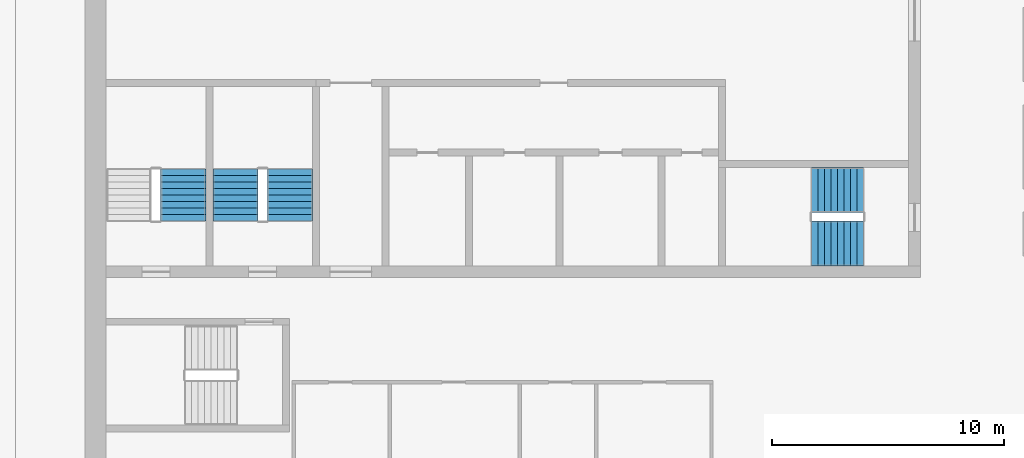
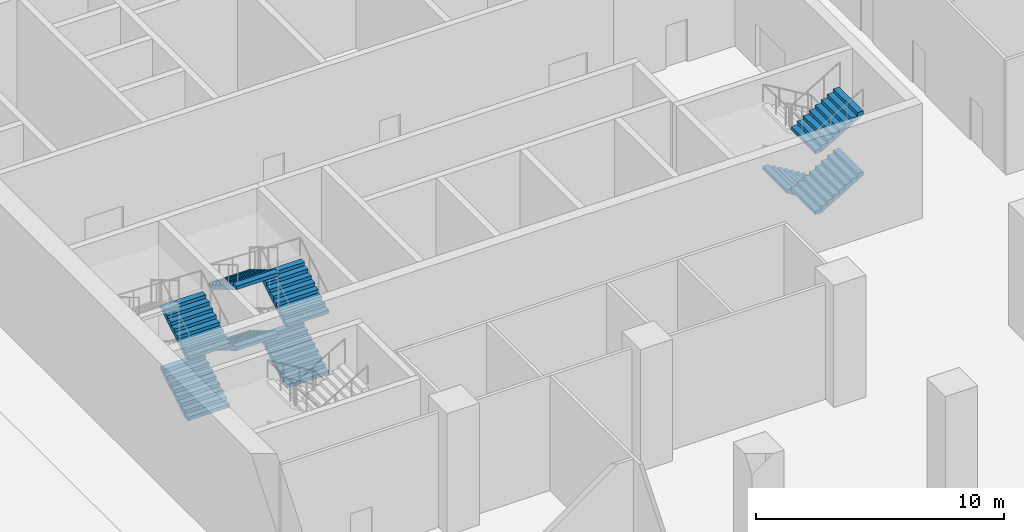
# One storey, part 30 of 47: 9 stair flights, 3 elements without a shape of their own.
"""IFC4 building model written with IfcOpenShell, lengths in metres."""

from ifc_helpers import new_model, si_unit, direction, frame, origin, place, context, subcontext, project, spatial, polyline, outline, extrude, material, type_object, element, aggregate, save


model = new_model("IFC4")

# Units and contexts
model_context = context("Model", 3, precision=1e-05, world=origin(), true_north=direction((0.0, 1.0)))
body_context = subcontext(model_context, "Body", "Model", "MODEL_VIEW")
ifc_project = project(units=[si_unit("LENGTHUNIT", "METRE"), si_unit("AREAUNIT", "SQUARE_METRE"), si_unit("VOLUMEUNIT", "CUBIC_METRE"), si_unit("PLANEANGLEUNIT", "RADIAN"), si_unit("MASSUNIT", "GRAM", prefix="KILO")], contexts=[model_context])

# Site, building, storey
site_placement = place(None, origin())
site = spatial("IfcSite", under=ifc_project, at=site_placement, CompositionType="ELEMENT")
building_placement = place(site_placement, origin())
building = spatial("IfcBuilding", under=site, at=building_placement, Name="Hunhe Ridgeline Campus", CompositionType="ELEMENT")
storey_placement = place(building_placement, origin())
storey = spatial("IfcBuildingStorey", under=building, at=storey_placement, Name="L00", CompositionType="ELEMENT", Elevation=0.0)

# Stair, stair flights
ifc_material = material(Name="Concrete C40", Category="concrete")
stair_type = type_object("IfcStairType", Name="Reinforced concrete dog-leg stair 1950 Concrete C40", PredefinedType="HALF_TURN_STAIR", material=ifc_material)
stair_1_placement = place(storey_placement, origin())
stair_1 = element("IfcStair", 1, at=stair_1_placement, inside=storey, type_object=stair_type, Name="L00 S2", PredefinedType="HALF_TURN_STAIR")
stair_flight_type = type_object("IfcStairFlightType", Name="Reinforced concrete stair flight 1950 Concrete C40", PredefinedType="STRAIGHT", material=ifc_material)
stair_flight_1_placement = place(storey_placement, frame((33.550048828125, 66.77490234375, 0.0), z_axis=(0.0, 0.0, 1.0), x_axis=(-1.0, 0.0, 0.0)))
stair_flight_1 = element("IfcStairFlight", 2, at=stair_flight_1_placement, type_object=stair_flight_type, Name="ST2 flight 1", NumberOfRisers=9, NumberOfTreads=8, PredefinedType="STRAIGHT", RiserHeight=0.166666667, TreadLength=0.28, context=body_context, shape_type="SweptSolid", body=[
    extrude(outline(polyline([(0.0, 0.0), (0.0, 0.166748046875), (0.280029296875, 0.166748046875), (0.280029296875, 0.333251953125), (0.56005859375, 0.333251953125), (0.56005859375, 0.5), (0.840087890625, 0.5), (0.840087890625, 0.666748046875), (1.1201171875, 0.666748046875), (1.1201171875, 0.833251953125), (1.39990234375, 0.833251953125), (1.39990234375, 1.0), (1.679931640625, 1.0), (1.679931640625, 1.166748046875), (1.9599609375, 1.166748046875), (1.9599609375, 1.333251953125), (2.239990234375, 1.333251953125), (2.239990234375, 1.5), (2.239990234375, 1.158935546875), (0.29296875, 0.0), (0.0, 0.0)])), frame((0.0, 0.97509765625, 0.0), z_axis=(0.0, -1.0, 0.0), x_axis=(1.0, 0.0, 0.0)), (0.0, 0.0, 1.0), 1.949951171875),
    extrude(outline(polyline([(0.030029296875, 0.030029296875), (0.030029296875, 0.13671875), (0.31005859375, 0.13671875), (0.31005859375, 0.30322265625), (0.590087890625, 0.30322265625), (0.590087890625, 0.469970703125), (0.8701171875, 0.469970703125), (0.8701171875, 0.63671875), (1.14990234375, 0.63671875), (1.14990234375, 0.80322265625), (1.429931640625, 0.80322265625), (1.429931640625, 0.969970703125), (1.7099609375, 0.969970703125), (1.7099609375, 1.13671875), (1.989990234375, 1.13671875), (1.989990234375, 1.30322265625), (2.2099609375, 1.30322265625), (2.2099609375, 1.17578125), (0.284912109375, 0.030029296875), (0.030029296875, 0.030029296875)])), frame((0.0, -0.070068359375, 0.0), z_axis=(0.0, -1.0, 0.0), x_axis=(1.0, 0.0, 0.0)), (0.0, 0.0, 1.0), 0.019775390625),
    extrude(outline(polyline([(0.030029296875, 0.030029296875), (0.030029296875, 0.13671875), (0.31005859375, 0.13671875), (0.31005859375, 0.30322265625), (0.590087890625, 0.30322265625), (0.590087890625, 0.469970703125), (0.8701171875, 0.469970703125), (0.8701171875, 0.63671875), (1.14990234375, 0.63671875), (1.14990234375, 0.80322265625), (1.429931640625, 0.80322265625), (1.429931640625, 0.969970703125), (1.7099609375, 0.969970703125), (1.7099609375, 1.13671875), (1.989990234375, 1.13671875), (1.989990234375, 1.30322265625), (2.2099609375, 1.30322265625), (2.2099609375, 1.17578125), (0.284912109375, 0.030029296875), (0.030029296875, 0.030029296875)])), frame((0.0, 0.010009765625, 0.0), z_axis=(0.0, -1.0, 0.0), x_axis=(1.0, 0.0, 0.0)), (0.0, 0.0, 1.0), 0.019775390625),
    extrude(outline(polyline([(0.030029296875, 0.030029296875), (0.030029296875, 0.13671875), (0.31005859375, 0.13671875), (0.31005859375, 0.30322265625), (0.590087890625, 0.30322265625), (0.590087890625, 0.469970703125), (0.8701171875, 0.469970703125), (0.8701171875, 0.63671875), (1.14990234375, 0.63671875), (1.14990234375, 0.80322265625), (1.429931640625, 0.80322265625), (1.429931640625, 0.969970703125), (1.7099609375, 0.969970703125), (1.7099609375, 1.13671875), (1.989990234375, 1.13671875), (1.989990234375, 1.30322265625), (2.2099609375, 1.30322265625), (2.2099609375, 1.17578125), (0.284912109375, 0.030029296875), (0.030029296875, 0.030029296875)])), frame((0.0, 0.090087890625, 0.0), z_axis=(0.0, -1.0, 0.0), x_axis=(1.0, 0.0, 0.0)), (0.0, 0.0, 1.0), 0.019775390625),
])
stair_flight_2_placement = place(storey_placement, frame((31.31005859375, 64.47509765625, 1.5), z_axis=(0.0, 0.0, 1.0), x_axis=(1.0, 0.0, 0.0)))
stair_flight_2 = element("IfcStairFlight", 3, at=stair_flight_2_placement, type_object=stair_flight_type, Name="ST2 flight 2", NumberOfRisers=9, NumberOfTreads=8, PredefinedType="STRAIGHT", RiserHeight=0.166666667, TreadLength=0.28, context=body_context, shape_type="SweptSolid", body=[
    extrude(outline(polyline([(0.0, 0.0), (0.0, 0.166748046875), (0.280029296875, 0.166748046875), (0.280029296875, 0.333251953125), (0.56005859375, 0.333251953125), (0.56005859375, 0.5), (0.840087890625, 0.5), (0.840087890625, 0.666748046875), (1.1201171875, 0.666748046875), (1.1201171875, 0.833251953125), (1.39990234375, 0.833251953125), (1.39990234375, 1.0), (1.679931640625, 1.0), (1.679931640625, 1.166748046875), (1.9599609375, 1.166748046875), (1.9599609375, 1.333251953125), (2.239990234375, 1.333251953125), (2.239990234375, 1.5), (2.239990234375, 1.158935546875), (0.29296875, 0.0), (0.0, 0.0)])), frame((0.0, 0.97509765625, 0.0), z_axis=(0.0, -1.0, 0.0), x_axis=(1.0, 0.0, 0.0)), (0.0, 0.0, 1.0), 1.949951171875),
    extrude(outline(polyline([(0.030029296875, 0.030029296875), (0.030029296875, 0.13671875), (0.31005859375, 0.13671875), (0.31005859375, 0.30322265625), (0.590087890625, 0.30322265625), (0.590087890625, 0.469970703125), (0.8701171875, 0.469970703125), (0.8701171875, 0.63671875), (1.14990234375, 0.63671875), (1.14990234375, 0.80322265625), (1.429931640625, 0.80322265625), (1.429931640625, 0.969970703125), (1.7099609375, 0.969970703125), (1.7099609375, 1.13671875), (1.989990234375, 1.13671875), (1.989990234375, 1.30322265625), (2.2099609375, 1.30322265625), (2.2099609375, 1.17578125), (0.284912109375, 0.030029296875), (0.030029296875, 0.030029296875)])), frame((0.0, -0.070068359375, 0.0), z_axis=(0.0, -1.0, 0.0), x_axis=(1.0, 0.0, 0.0)), (0.0, 0.0, 1.0), 0.019775390625),
    extrude(outline(polyline([(0.030029296875, 0.030029296875), (0.030029296875, 0.13671875), (0.31005859375, 0.13671875), (0.31005859375, 0.30322265625), (0.590087890625, 0.30322265625), (0.590087890625, 0.469970703125), (0.8701171875, 0.469970703125), (0.8701171875, 0.63671875), (1.14990234375, 0.63671875), (1.14990234375, 0.80322265625), (1.429931640625, 0.80322265625), (1.429931640625, 0.969970703125), (1.7099609375, 0.969970703125), (1.7099609375, 1.13671875), (1.989990234375, 1.13671875), (1.989990234375, 1.30322265625), (2.2099609375, 1.30322265625), (2.2099609375, 1.17578125), (0.284912109375, 0.030029296875), (0.030029296875, 0.030029296875)])), frame((0.0, 0.010009765625, 0.0), z_axis=(0.0, -1.0, 0.0), x_axis=(1.0, 0.0, 0.0)), (0.0, 0.0, 1.0), 0.019775390625),
    extrude(outline(polyline([(0.030029296875, 0.030029296875), (0.030029296875, 0.13671875), (0.31005859375, 0.13671875), (0.31005859375, 0.30322265625), (0.590087890625, 0.30322265625), (0.590087890625, 0.469970703125), (0.8701171875, 0.469970703125), (0.8701171875, 0.63671875), (1.14990234375, 0.63671875), (1.14990234375, 0.80322265625), (1.429931640625, 0.80322265625), (1.429931640625, 0.969970703125), (1.7099609375, 0.969970703125), (1.7099609375, 1.13671875), (1.989990234375, 1.13671875), (1.989990234375, 1.30322265625), (2.2099609375, 1.30322265625), (2.2099609375, 1.17578125), (0.284912109375, 0.030029296875), (0.030029296875, 0.030029296875)])), frame((0.0, 0.090087890625, 0.0), z_axis=(0.0, -1.0, 0.0), x_axis=(1.0, 0.0, 0.0)), (0.0, 0.0, 1.0), 0.019775390625),
])
stair_flight_3_placement = place(storey_placement, frame((31.31005859375, 64.47509765625, 4.5), z_axis=(0.0, 0.0, 1.0), x_axis=(1.0, 0.0, 0.0)))
stair_flight_3 = element("IfcStairFlight", 4, at=stair_flight_3_placement, type_object=stair_flight_type, Name="ST2 flight 4", NumberOfRisers=9, NumberOfTreads=8, PredefinedType="STRAIGHT", RiserHeight=0.166666667, TreadLength=0.28, context=body_context, shape_type="SweptSolid", body=[
    extrude(outline(polyline([(0.0, 0.0), (0.0, 0.166748046875), (0.280029296875, 0.166748046875), (0.280029296875, 0.333251953125), (0.56005859375, 0.333251953125), (0.56005859375, 0.5), (0.840087890625, 0.5), (0.840087890625, 0.666748046875), (1.1201171875, 0.666748046875), (1.1201171875, 0.833251953125), (1.39990234375, 0.833251953125), (1.39990234375, 1.0), (1.679931640625, 1.0), (1.679931640625, 1.166748046875), (1.9599609375, 1.166748046875), (1.9599609375, 1.333251953125), (2.239990234375, 1.333251953125), (2.239990234375, 1.5), (2.239990234375, 1.158935546875), (0.29296875, 0.0), (0.0, 0.0)])), frame((0.0, 0.97509765625, 0.0), z_axis=(0.0, -1.0, 0.0), x_axis=(1.0, 0.0, 0.0)), (0.0, 0.0, 1.0), 1.949951171875),
    extrude(outline(polyline([(0.030029296875, 0.030029296875), (0.030029296875, 0.13671875), (0.31005859375, 0.13671875), (0.31005859375, 0.30322265625), (0.590087890625, 0.30322265625), (0.590087890625, 0.469970703125), (0.8701171875, 0.469970703125), (0.8701171875, 0.63671875), (1.14990234375, 0.63671875), (1.14990234375, 0.80322265625), (1.429931640625, 0.80322265625), (1.429931640625, 0.969970703125), (1.7099609375, 0.969970703125), (1.7099609375, 1.13671875), (1.989990234375, 1.13671875), (1.989990234375, 1.30322265625), (2.2099609375, 1.30322265625), (2.2099609375, 1.17578125), (0.284912109375, 0.030029296875), (0.030029296875, 0.030029296875)])), frame((0.0, -0.070068359375, 0.0), z_axis=(0.0, -1.0, 0.0), x_axis=(1.0, 0.0, 0.0)), (0.0, 0.0, 1.0), 0.019775390625),
    extrude(outline(polyline([(0.030029296875, 0.030029296875), (0.030029296875, 0.13671875), (0.31005859375, 0.13671875), (0.31005859375, 0.30322265625), (0.590087890625, 0.30322265625), (0.590087890625, 0.469970703125), (0.8701171875, 0.469970703125), (0.8701171875, 0.63671875), (1.14990234375, 0.63671875), (1.14990234375, 0.80322265625), (1.429931640625, 0.80322265625), (1.429931640625, 0.969970703125), (1.7099609375, 0.969970703125), (1.7099609375, 1.13671875), (1.989990234375, 1.13671875), (1.989990234375, 1.30322265625), (2.2099609375, 1.30322265625), (2.2099609375, 1.17578125), (0.284912109375, 0.030029296875), (0.030029296875, 0.030029296875)])), frame((0.0, 0.010009765625, 0.0), z_axis=(0.0, -1.0, 0.0), x_axis=(1.0, 0.0, 0.0)), (0.0, 0.0, 1.0), 0.019775390625),
    extrude(outline(polyline([(0.030029296875, 0.030029296875), (0.030029296875, 0.13671875), (0.31005859375, 0.13671875), (0.31005859375, 0.30322265625), (0.590087890625, 0.30322265625), (0.590087890625, 0.469970703125), (0.8701171875, 0.469970703125), (0.8701171875, 0.63671875), (1.14990234375, 0.63671875), (1.14990234375, 0.80322265625), (1.429931640625, 0.80322265625), (1.429931640625, 0.969970703125), (1.7099609375, 0.969970703125), (1.7099609375, 1.13671875), (1.989990234375, 1.13671875), (1.989990234375, 1.30322265625), (2.2099609375, 1.30322265625), (2.2099609375, 1.17578125), (0.284912109375, 0.030029296875), (0.030029296875, 0.030029296875)])), frame((0.0, 0.090087890625, 0.0), z_axis=(0.0, -1.0, 0.0), x_axis=(1.0, 0.0, 0.0)), (0.0, 0.0, 1.0), 0.019775390625),
])
aggregate(stair_1, [stair_flight_1, stair_flight_2, stair_flight_3])

stair_2_placement = place(storey_placement, origin())
stair_2 = element("IfcStair", 5, at=stair_2_placement, inside=storey, type_object=stair_type, Name="L00 S3", PredefinedType="HALF_TURN_STAIR")
stair_flight_4_placement = place(storey_placement, frame((4.22509765625, 65.449951171875, 0.0), z_axis=(0.0, 0.0, 1.0), x_axis=(0.0, 1.0, 0.0)))
stair_flight_4 = element("IfcStairFlight", 6, at=stair_flight_4_placement, type_object=stair_flight_type, Name="ST3 flight 1", NumberOfRisers=9, NumberOfTreads=8, PredefinedType="STRAIGHT", RiserHeight=0.166666667, TreadLength=0.28, context=body_context, shape_type="SweptSolid", body=[
    extrude(outline(polyline([(0.0, 0.0), (0.0, 0.166748046875), (0.280029296875, 0.166748046875), (0.280029296875, 0.333251953125), (0.56005859375, 0.333251953125), (0.56005859375, 0.5), (0.840087890625, 0.5), (0.840087890625, 0.666748046875), (1.1201171875, 0.666748046875), (1.1201171875, 0.833251953125), (1.39990234375, 0.833251953125), (1.39990234375, 1.0), (1.679931640625, 1.0), (1.679931640625, 1.166748046875), (1.9599609375, 1.166748046875), (1.9599609375, 1.333251953125), (2.239990234375, 1.333251953125), (2.239990234375, 1.5), (2.239990234375, 1.158935546875), (0.29296875, 0.0), (0.0, 0.0)])), frame((0.0, 0.97509765625, 0.0), z_axis=(0.0, -1.0, 0.0), x_axis=(1.0, 0.0, 0.0)), (0.0, 0.0, 1.0), 1.949951171875),
    extrude(outline(polyline([(0.030029296875, 0.030029296875), (0.030029296875, 0.13671875), (0.31005859375, 0.13671875), (0.31005859375, 0.30322265625), (0.590087890625, 0.30322265625), (0.590087890625, 0.469970703125), (0.8701171875, 0.469970703125), (0.8701171875, 0.63671875), (1.14990234375, 0.63671875), (1.14990234375, 0.80322265625), (1.429931640625, 0.80322265625), (1.429931640625, 0.969970703125), (1.7099609375, 0.969970703125), (1.7099609375, 1.13671875), (1.989990234375, 1.13671875), (1.989990234375, 1.30322265625), (2.2099609375, 1.30322265625), (2.2099609375, 1.17578125), (0.284912109375, 0.030029296875), (0.030029296875, 0.030029296875)])), frame((0.0, -0.070068359375, 0.0), z_axis=(0.0, -1.0, 0.0), x_axis=(1.0, 0.0, 0.0)), (0.0, 0.0, 1.0), 0.019775390625),
    extrude(outline(polyline([(0.030029296875, 0.030029296875), (0.030029296875, 0.13671875), (0.31005859375, 0.13671875), (0.31005859375, 0.30322265625), (0.590087890625, 0.30322265625), (0.590087890625, 0.469970703125), (0.8701171875, 0.469970703125), (0.8701171875, 0.63671875), (1.14990234375, 0.63671875), (1.14990234375, 0.80322265625), (1.429931640625, 0.80322265625), (1.429931640625, 0.969970703125), (1.7099609375, 0.969970703125), (1.7099609375, 1.13671875), (1.989990234375, 1.13671875), (1.989990234375, 1.30322265625), (2.2099609375, 1.30322265625), (2.2099609375, 1.17578125), (0.284912109375, 0.030029296875), (0.030029296875, 0.030029296875)])), frame((0.0, 0.010009765625, 0.0), z_axis=(0.0, -1.0, 0.0), x_axis=(1.0, 0.0, 0.0)), (0.0, 0.0, 1.0), 0.019775390625),
    extrude(outline(polyline([(0.030029296875, 0.030029296875), (0.030029296875, 0.13671875), (0.31005859375, 0.13671875), (0.31005859375, 0.30322265625), (0.590087890625, 0.30322265625), (0.590087890625, 0.469970703125), (0.8701171875, 0.469970703125), (0.8701171875, 0.63671875), (1.14990234375, 0.63671875), (1.14990234375, 0.80322265625), (1.429931640625, 0.80322265625), (1.429931640625, 0.969970703125), (1.7099609375, 0.969970703125), (1.7099609375, 1.13671875), (1.989990234375, 1.13671875), (1.989990234375, 1.30322265625), (2.2099609375, 1.30322265625), (2.2099609375, 1.17578125), (0.284912109375, 0.030029296875), (0.030029296875, 0.030029296875)])), frame((0.0, 0.090087890625, 0.0), z_axis=(0.0, -1.0, 0.0), x_axis=(1.0, 0.0, 0.0)), (0.0, 0.0, 1.0), 0.019775390625),
])
stair_flight_5_placement = place(storey_placement, frame((4.22509765625, 65.449951171875, 3.0), z_axis=(0.0, 0.0, 1.0), x_axis=(0.0, 1.0, 0.0)))
stair_flight_5 = element("IfcStairFlight", 7, at=stair_flight_5_placement, type_object=stair_flight_type, Name="ST3 flight 3", NumberOfRisers=9, NumberOfTreads=8, PredefinedType="STRAIGHT", RiserHeight=0.166666667, TreadLength=0.28, context=body_context, shape_type="SweptSolid", body=[
    extrude(outline(polyline([(0.0, 0.0), (0.0, 0.166748046875), (0.280029296875, 0.166748046875), (0.280029296875, 0.333251953125), (0.56005859375, 0.333251953125), (0.56005859375, 0.5), (0.840087890625, 0.5), (0.840087890625, 0.666748046875), (1.1201171875, 0.666748046875), (1.1201171875, 0.833251953125), (1.39990234375, 0.833251953125), (1.39990234375, 1.0), (1.679931640625, 1.0), (1.679931640625, 1.166748046875), (1.9599609375, 1.166748046875), (1.9599609375, 1.333251953125), (2.239990234375, 1.333251953125), (2.239990234375, 1.5), (2.239990234375, 1.158935546875), (0.29296875, 0.0), (0.0, 0.0)])), frame((0.0, 0.97509765625, 0.0), z_axis=(0.0, -1.0, 0.0), x_axis=(1.0, 0.0, 0.0)), (0.0, 0.0, 1.0), 1.949951171875),
    extrude(outline(polyline([(0.030029296875, 0.030029296875), (0.030029296875, 0.13671875), (0.31005859375, 0.13671875), (0.31005859375, 0.30322265625), (0.590087890625, 0.30322265625), (0.590087890625, 0.469970703125), (0.8701171875, 0.469970703125), (0.8701171875, 0.63671875), (1.14990234375, 0.63671875), (1.14990234375, 0.80322265625), (1.429931640625, 0.80322265625), (1.429931640625, 0.969970703125), (1.7099609375, 0.969970703125), (1.7099609375, 1.13671875), (1.989990234375, 1.13671875), (1.989990234375, 1.30322265625), (2.2099609375, 1.30322265625), (2.2099609375, 1.17578125), (0.284912109375, 0.030029296875), (0.030029296875, 0.030029296875)])), frame((0.0, -0.070068359375, 0.0), z_axis=(0.0, -1.0, 0.0), x_axis=(1.0, 0.0, 0.0)), (0.0, 0.0, 1.0), 0.019775390625),
    extrude(outline(polyline([(0.030029296875, 0.030029296875), (0.030029296875, 0.13671875), (0.31005859375, 0.13671875), (0.31005859375, 0.30322265625), (0.590087890625, 0.30322265625), (0.590087890625, 0.469970703125), (0.8701171875, 0.469970703125), (0.8701171875, 0.63671875), (1.14990234375, 0.63671875), (1.14990234375, 0.80322265625), (1.429931640625, 0.80322265625), (1.429931640625, 0.969970703125), (1.7099609375, 0.969970703125), (1.7099609375, 1.13671875), (1.989990234375, 1.13671875), (1.989990234375, 1.30322265625), (2.2099609375, 1.30322265625), (2.2099609375, 1.17578125), (0.284912109375, 0.030029296875), (0.030029296875, 0.030029296875)])), frame((0.0, 0.010009765625, 0.0), z_axis=(0.0, -1.0, 0.0), x_axis=(1.0, 0.0, 0.0)), (0.0, 0.0, 1.0), 0.019775390625),
    extrude(outline(polyline([(0.030029296875, 0.030029296875), (0.030029296875, 0.13671875), (0.31005859375, 0.13671875), (0.31005859375, 0.30322265625), (0.590087890625, 0.30322265625), (0.590087890625, 0.469970703125), (0.8701171875, 0.469970703125), (0.8701171875, 0.63671875), (1.14990234375, 0.63671875), (1.14990234375, 0.80322265625), (1.429931640625, 0.80322265625), (1.429931640625, 0.969970703125), (1.7099609375, 0.969970703125), (1.7099609375, 1.13671875), (1.989990234375, 1.13671875), (1.989990234375, 1.30322265625), (2.2099609375, 1.30322265625), (2.2099609375, 1.17578125), (0.284912109375, 0.030029296875), (0.030029296875, 0.030029296875)])), frame((0.0, 0.090087890625, 0.0), z_axis=(0.0, -1.0, 0.0), x_axis=(1.0, 0.0, 0.0)), (0.0, 0.0, 1.0), 0.019775390625),
])
aggregate(stair_2, [stair_flight_4, stair_flight_5])

stair_3_placement = place(storey_placement, origin())
stair_3 = element("IfcStair", 8, at=stair_3_placement, inside=storey, type_object=stair_type, Name="L00 S4", PredefinedType="HALF_TURN_STAIR")
stair_flight_6_placement = place(storey_placement, frame((8.824951171875, 65.449951171875, 0.0), z_axis=(0.0, 0.0, 1.0), x_axis=(0.0, 1.0, 0.0)))
stair_flight_6 = element("IfcStairFlight", 9, at=stair_flight_6_placement, type_object=stair_flight_type, Name="ST4 flight 1", NumberOfRisers=9, NumberOfTreads=8, PredefinedType="STRAIGHT", RiserHeight=0.166666667, TreadLength=0.28, context=body_context, shape_type="SweptSolid", body=[
    extrude(outline(polyline([(0.0, 0.0), (0.0, 0.166748046875), (0.280029296875, 0.166748046875), (0.280029296875, 0.333251953125), (0.56005859375, 0.333251953125), (0.56005859375, 0.5), (0.840087890625, 0.5), (0.840087890625, 0.666748046875), (1.1201171875, 0.666748046875), (1.1201171875, 0.833251953125), (1.39990234375, 0.833251953125), (1.39990234375, 1.0), (1.679931640625, 1.0), (1.679931640625, 1.166748046875), (1.9599609375, 1.166748046875), (1.9599609375, 1.333251953125), (2.239990234375, 1.333251953125), (2.239990234375, 1.5), (2.239990234375, 1.158935546875), (0.29296875, 0.0), (0.0, 0.0)])), frame((0.0, 0.97509765625, 0.0), z_axis=(0.0, -1.0, 0.0), x_axis=(1.0, 0.0, 0.0)), (0.0, 0.0, 1.0), 1.949951171875),
    extrude(outline(polyline([(0.030029296875, 0.030029296875), (0.030029296875, 0.13671875), (0.31005859375, 0.13671875), (0.31005859375, 0.30322265625), (0.590087890625, 0.30322265625), (0.590087890625, 0.469970703125), (0.8701171875, 0.469970703125), (0.8701171875, 0.63671875), (1.14990234375, 0.63671875), (1.14990234375, 0.80322265625), (1.429931640625, 0.80322265625), (1.429931640625, 0.969970703125), (1.7099609375, 0.969970703125), (1.7099609375, 1.13671875), (1.989990234375, 1.13671875), (1.989990234375, 1.30322265625), (2.2099609375, 1.30322265625), (2.2099609375, 1.17578125), (0.284912109375, 0.030029296875), (0.030029296875, 0.030029296875)])), frame((0.0, -0.070068359375, 0.0), z_axis=(0.0, -1.0, 0.0), x_axis=(1.0, 0.0, 0.0)), (0.0, 0.0, 1.0), 0.019775390625),
    extrude(outline(polyline([(0.030029296875, 0.030029296875), (0.030029296875, 0.13671875), (0.31005859375, 0.13671875), (0.31005859375, 0.30322265625), (0.590087890625, 0.30322265625), (0.590087890625, 0.469970703125), (0.8701171875, 0.469970703125), (0.8701171875, 0.63671875), (1.14990234375, 0.63671875), (1.14990234375, 0.80322265625), (1.429931640625, 0.80322265625), (1.429931640625, 0.969970703125), (1.7099609375, 0.969970703125), (1.7099609375, 1.13671875), (1.989990234375, 1.13671875), (1.989990234375, 1.30322265625), (2.2099609375, 1.30322265625), (2.2099609375, 1.17578125), (0.284912109375, 0.030029296875), (0.030029296875, 0.030029296875)])), frame((0.0, 0.010009765625, 0.0), z_axis=(0.0, -1.0, 0.0), x_axis=(1.0, 0.0, 0.0)), (0.0, 0.0, 1.0), 0.019775390625),
    extrude(outline(polyline([(0.030029296875, 0.030029296875), (0.030029296875, 0.13671875), (0.31005859375, 0.13671875), (0.31005859375, 0.30322265625), (0.590087890625, 0.30322265625), (0.590087890625, 0.469970703125), (0.8701171875, 0.469970703125), (0.8701171875, 0.63671875), (1.14990234375, 0.63671875), (1.14990234375, 0.80322265625), (1.429931640625, 0.80322265625), (1.429931640625, 0.969970703125), (1.7099609375, 0.969970703125), (1.7099609375, 1.13671875), (1.989990234375, 1.13671875), (1.989990234375, 1.30322265625), (2.2099609375, 1.30322265625), (2.2099609375, 1.17578125), (0.284912109375, 0.030029296875), (0.030029296875, 0.030029296875)])), frame((0.0, 0.090087890625, 0.0), z_axis=(0.0, -1.0, 0.0), x_axis=(1.0, 0.0, 0.0)), (0.0, 0.0, 1.0), 0.019775390625),
])
stair_flight_7_placement = place(storey_placement, frame((6.47509765625, 67.68994140625, 1.5), z_axis=(0.0, 0.0, 1.0), x_axis=(0.0, -1.0, 0.0)))
stair_flight_7 = element("IfcStairFlight", 10, at=stair_flight_7_placement, type_object=stair_flight_type, Name="ST4 flight 2", NumberOfRisers=9, NumberOfTreads=8, PredefinedType="STRAIGHT", RiserHeight=0.166666667, TreadLength=0.28, context=body_context, shape_type="SweptSolid", body=[
    extrude(outline(polyline([(0.0, 0.0), (0.0, 0.166748046875), (0.280029296875, 0.166748046875), (0.280029296875, 0.333251953125), (0.56005859375, 0.333251953125), (0.56005859375, 0.5), (0.840087890625, 0.5), (0.840087890625, 0.666748046875), (1.1201171875, 0.666748046875), (1.1201171875, 0.833251953125), (1.39990234375, 0.833251953125), (1.39990234375, 1.0), (1.679931640625, 1.0), (1.679931640625, 1.166748046875), (1.9599609375, 1.166748046875), (1.9599609375, 1.333251953125), (2.239990234375, 1.333251953125), (2.239990234375, 1.5), (2.239990234375, 1.158935546875), (0.29296875, 0.0), (0.0, 0.0)])), frame((0.0, 0.97509765625, 0.0), z_axis=(0.0, -1.0, 0.0), x_axis=(1.0, 0.0, 0.0)), (0.0, 0.0, 1.0), 1.949951171875),
    extrude(outline(polyline([(0.030029296875, 0.030029296875), (0.030029296875, 0.13671875), (0.31005859375, 0.13671875), (0.31005859375, 0.30322265625), (0.590087890625, 0.30322265625), (0.590087890625, 0.469970703125), (0.8701171875, 0.469970703125), (0.8701171875, 0.63671875), (1.14990234375, 0.63671875), (1.14990234375, 0.80322265625), (1.429931640625, 0.80322265625), (1.429931640625, 0.969970703125), (1.7099609375, 0.969970703125), (1.7099609375, 1.13671875), (1.989990234375, 1.13671875), (1.989990234375, 1.30322265625), (2.2099609375, 1.30322265625), (2.2099609375, 1.17578125), (0.284912109375, 0.030029296875), (0.030029296875, 0.030029296875)])), frame((0.0, -0.070068359375, 0.0), z_axis=(0.0, -1.0, 0.0), x_axis=(1.0, 0.0, 0.0)), (0.0, 0.0, 1.0), 0.019775390625),
    extrude(outline(polyline([(0.030029296875, 0.030029296875), (0.030029296875, 0.13671875), (0.31005859375, 0.13671875), (0.31005859375, 0.30322265625), (0.590087890625, 0.30322265625), (0.590087890625, 0.469970703125), (0.8701171875, 0.469970703125), (0.8701171875, 0.63671875), (1.14990234375, 0.63671875), (1.14990234375, 0.80322265625), (1.429931640625, 0.80322265625), (1.429931640625, 0.969970703125), (1.7099609375, 0.969970703125), (1.7099609375, 1.13671875), (1.989990234375, 1.13671875), (1.989990234375, 1.30322265625), (2.2099609375, 1.30322265625), (2.2099609375, 1.17578125), (0.284912109375, 0.030029296875), (0.030029296875, 0.030029296875)])), frame((0.0, 0.010009765625, 0.0), z_axis=(0.0, -1.0, 0.0), x_axis=(1.0, 0.0, 0.0)), (0.0, 0.0, 1.0), 0.019775390625),
    extrude(outline(polyline([(0.030029296875, 0.030029296875), (0.030029296875, 0.13671875), (0.31005859375, 0.13671875), (0.31005859375, 0.30322265625), (0.590087890625, 0.30322265625), (0.590087890625, 0.469970703125), (0.8701171875, 0.469970703125), (0.8701171875, 0.63671875), (1.14990234375, 0.63671875), (1.14990234375, 0.80322265625), (1.429931640625, 0.80322265625), (1.429931640625, 0.969970703125), (1.7099609375, 0.969970703125), (1.7099609375, 1.13671875), (1.989990234375, 1.13671875), (1.989990234375, 1.30322265625), (2.2099609375, 1.30322265625), (2.2099609375, 1.17578125), (0.284912109375, 0.030029296875), (0.030029296875, 0.030029296875)])), frame((0.0, 0.090087890625, 0.0), z_axis=(0.0, -1.0, 0.0), x_axis=(1.0, 0.0, 0.0)), (0.0, 0.0, 1.0), 0.019775390625),
])
stair_flight_8_placement = place(storey_placement, frame((8.824951171875, 65.449951171875, 3.0), z_axis=(0.0, 0.0, 1.0), x_axis=(0.0, 1.0, 0.0)))
stair_flight_8 = element("IfcStairFlight", 11, at=stair_flight_8_placement, type_object=stair_flight_type, Name="ST4 flight 3", NumberOfRisers=9, NumberOfTreads=8, PredefinedType="STRAIGHT", RiserHeight=0.166666667, TreadLength=0.28, context=body_context, shape_type="SweptSolid", body=[
    extrude(outline(polyline([(0.0, 0.0), (0.0, 0.166748046875), (0.280029296875, 0.166748046875), (0.280029296875, 0.333251953125), (0.56005859375, 0.333251953125), (0.56005859375, 0.5), (0.840087890625, 0.5), (0.840087890625, 0.666748046875), (1.1201171875, 0.666748046875), (1.1201171875, 0.833251953125), (1.39990234375, 0.833251953125), (1.39990234375, 1.0), (1.679931640625, 1.0), (1.679931640625, 1.166748046875), (1.9599609375, 1.166748046875), (1.9599609375, 1.333251953125), (2.239990234375, 1.333251953125), (2.239990234375, 1.5), (2.239990234375, 1.158935546875), (0.29296875, 0.0), (0.0, 0.0)])), frame((0.0, 0.97509765625, 0.0), z_axis=(0.0, -1.0, 0.0), x_axis=(1.0, 0.0, 0.0)), (0.0, 0.0, 1.0), 1.949951171875),
    extrude(outline(polyline([(0.030029296875, 0.030029296875), (0.030029296875, 0.13671875), (0.31005859375, 0.13671875), (0.31005859375, 0.30322265625), (0.590087890625, 0.30322265625), (0.590087890625, 0.469970703125), (0.8701171875, 0.469970703125), (0.8701171875, 0.63671875), (1.14990234375, 0.63671875), (1.14990234375, 0.80322265625), (1.429931640625, 0.80322265625), (1.429931640625, 0.969970703125), (1.7099609375, 0.969970703125), (1.7099609375, 1.13671875), (1.989990234375, 1.13671875), (1.989990234375, 1.30322265625), (2.2099609375, 1.30322265625), (2.2099609375, 1.17578125), (0.284912109375, 0.030029296875), (0.030029296875, 0.030029296875)])), frame((0.0, -0.070068359375, 0.0), z_axis=(0.0, -1.0, 0.0), x_axis=(1.0, 0.0, 0.0)), (0.0, 0.0, 1.0), 0.019775390625),
    extrude(outline(polyline([(0.030029296875, 0.030029296875), (0.030029296875, 0.13671875), (0.31005859375, 0.13671875), (0.31005859375, 0.30322265625), (0.590087890625, 0.30322265625), (0.590087890625, 0.469970703125), (0.8701171875, 0.469970703125), (0.8701171875, 0.63671875), (1.14990234375, 0.63671875), (1.14990234375, 0.80322265625), (1.429931640625, 0.80322265625), (1.429931640625, 0.969970703125), (1.7099609375, 0.969970703125), (1.7099609375, 1.13671875), (1.989990234375, 1.13671875), (1.989990234375, 1.30322265625), (2.2099609375, 1.30322265625), (2.2099609375, 1.17578125), (0.284912109375, 0.030029296875), (0.030029296875, 0.030029296875)])), frame((0.0, 0.010009765625, 0.0), z_axis=(0.0, -1.0, 0.0), x_axis=(1.0, 0.0, 0.0)), (0.0, 0.0, 1.0), 0.019775390625),
    extrude(outline(polyline([(0.030029296875, 0.030029296875), (0.030029296875, 0.13671875), (0.31005859375, 0.13671875), (0.31005859375, 0.30322265625), (0.590087890625, 0.30322265625), (0.590087890625, 0.469970703125), (0.8701171875, 0.469970703125), (0.8701171875, 0.63671875), (1.14990234375, 0.63671875), (1.14990234375, 0.80322265625), (1.429931640625, 0.80322265625), (1.429931640625, 0.969970703125), (1.7099609375, 0.969970703125), (1.7099609375, 1.13671875), (1.989990234375, 1.13671875), (1.989990234375, 1.30322265625), (2.2099609375, 1.30322265625), (2.2099609375, 1.17578125), (0.284912109375, 0.030029296875), (0.030029296875, 0.030029296875)])), frame((0.0, 0.090087890625, 0.0), z_axis=(0.0, -1.0, 0.0), x_axis=(1.0, 0.0, 0.0)), (0.0, 0.0, 1.0), 0.019775390625),
])
stair_flight_9_placement = place(storey_placement, frame((6.47509765625, 67.68994140625, 4.5), z_axis=(0.0, 0.0, 1.0), x_axis=(0.0, -1.0, 0.0)))
stair_flight_9 = element("IfcStairFlight", 12, at=stair_flight_9_placement, type_object=stair_flight_type, Name="ST4 flight 4", NumberOfRisers=9, NumberOfTreads=8, PredefinedType="STRAIGHT", RiserHeight=0.166666667, TreadLength=0.28, context=body_context, shape_type="SweptSolid", body=[
    extrude(outline(polyline([(0.0, 0.0), (0.0, 0.166748046875), (0.280029296875, 0.166748046875), (0.280029296875, 0.333251953125), (0.56005859375, 0.333251953125), (0.56005859375, 0.5), (0.840087890625, 0.5), (0.840087890625, 0.666748046875), (1.1201171875, 0.666748046875), (1.1201171875, 0.833251953125), (1.39990234375, 0.833251953125), (1.39990234375, 1.0), (1.679931640625, 1.0), (1.679931640625, 1.166748046875), (1.9599609375, 1.166748046875), (1.9599609375, 1.333251953125), (2.239990234375, 1.333251953125), (2.239990234375, 1.5), (2.239990234375, 1.158935546875), (0.29296875, 0.0), (0.0, 0.0)])), frame((0.0, 0.97509765625, 0.0), z_axis=(0.0, -1.0, 0.0), x_axis=(1.0, 0.0, 0.0)), (0.0, 0.0, 1.0), 1.949951171875),
    extrude(outline(polyline([(0.030029296875, 0.030029296875), (0.030029296875, 0.13671875), (0.31005859375, 0.13671875), (0.31005859375, 0.30322265625), (0.590087890625, 0.30322265625), (0.590087890625, 0.469970703125), (0.8701171875, 0.469970703125), (0.8701171875, 0.63671875), (1.14990234375, 0.63671875), (1.14990234375, 0.80322265625), (1.429931640625, 0.80322265625), (1.429931640625, 0.969970703125), (1.7099609375, 0.969970703125), (1.7099609375, 1.13671875), (1.989990234375, 1.13671875), (1.989990234375, 1.30322265625), (2.2099609375, 1.30322265625), (2.2099609375, 1.17578125), (0.284912109375, 0.030029296875), (0.030029296875, 0.030029296875)])), frame((0.0, -0.070068359375, 0.0), z_axis=(0.0, -1.0, 0.0), x_axis=(1.0, 0.0, 0.0)), (0.0, 0.0, 1.0), 0.019775390625),
    extrude(outline(polyline([(0.030029296875, 0.030029296875), (0.030029296875, 0.13671875), (0.31005859375, 0.13671875), (0.31005859375, 0.30322265625), (0.590087890625, 0.30322265625), (0.590087890625, 0.469970703125), (0.8701171875, 0.469970703125), (0.8701171875, 0.63671875), (1.14990234375, 0.63671875), (1.14990234375, 0.80322265625), (1.429931640625, 0.80322265625), (1.429931640625, 0.969970703125), (1.7099609375, 0.969970703125), (1.7099609375, 1.13671875), (1.989990234375, 1.13671875), (1.989990234375, 1.30322265625), (2.2099609375, 1.30322265625), (2.2099609375, 1.17578125), (0.284912109375, 0.030029296875), (0.030029296875, 0.030029296875)])), frame((0.0, 0.010009765625, 0.0), z_axis=(0.0, -1.0, 0.0), x_axis=(1.0, 0.0, 0.0)), (0.0, 0.0, 1.0), 0.019775390625),
    extrude(outline(polyline([(0.030029296875, 0.030029296875), (0.030029296875, 0.13671875), (0.31005859375, 0.13671875), (0.31005859375, 0.30322265625), (0.590087890625, 0.30322265625), (0.590087890625, 0.469970703125), (0.8701171875, 0.469970703125), (0.8701171875, 0.63671875), (1.14990234375, 0.63671875), (1.14990234375, 0.80322265625), (1.429931640625, 0.80322265625), (1.429931640625, 0.969970703125), (1.7099609375, 0.969970703125), (1.7099609375, 1.13671875), (1.989990234375, 1.13671875), (1.989990234375, 1.30322265625), (2.2099609375, 1.30322265625), (2.2099609375, 1.17578125), (0.284912109375, 0.030029296875), (0.030029296875, 0.030029296875)])), frame((0.0, 0.090087890625, 0.0), z_axis=(0.0, -1.0, 0.0), x_axis=(1.0, 0.0, 0.0)), (0.0, 0.0, 1.0), 0.019775390625),
])
aggregate(stair_3, [stair_flight_6, stair_flight_7, stair_flight_8, stair_flight_9])

save(model, "model.ifc")
